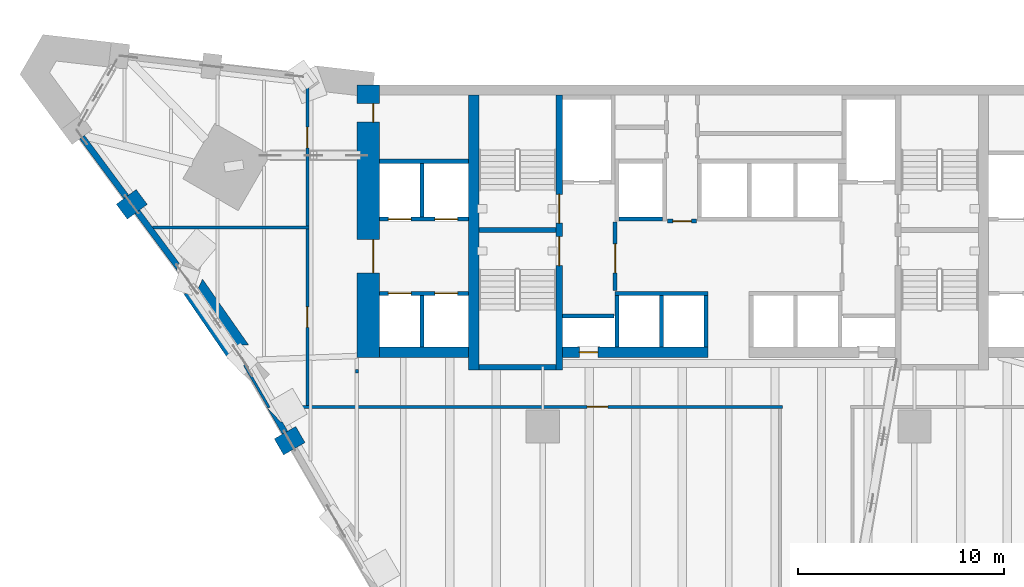
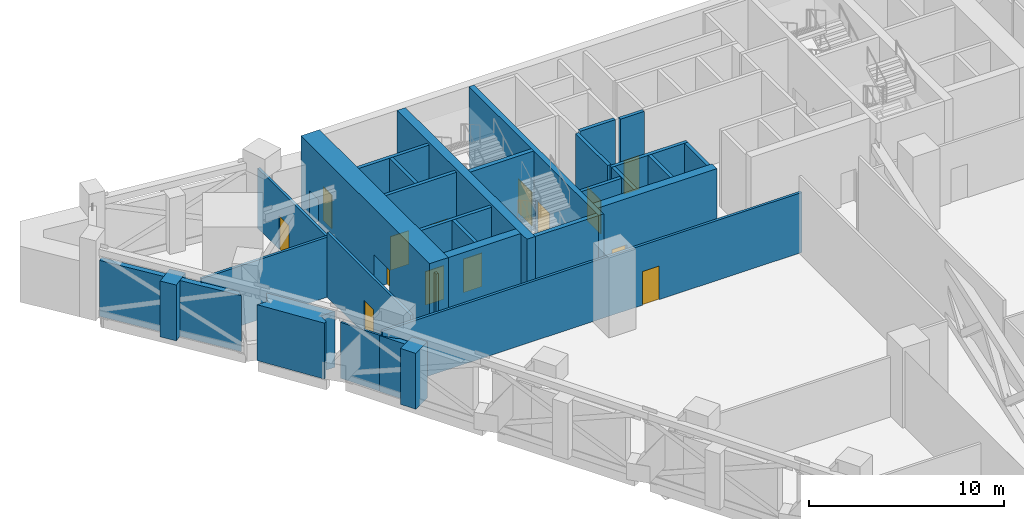
# One storey, part 10 of 22: 32 walls, 14 doors, 14 openings.
"""IFC4 building model written with IfcOpenShell, lengths in metres."""

import ifcopenshell
import ifcopenshell.guid

model = None  # the IFC model being written
_history = None  # IfcOwnerHistory: only IFC2X3 demands one
_inside = {}  # id of a spatial element -> (the spatial element, [elements in it])
_under = {}  # id of a project, library or spatial element -> (it, [spatial elements below it])
_declared = {}  # id of a project -> (the project, [libraries it declares])
_typed = {}  # id of a type object -> (the type object, [elements of that type])
_made_of = {}  # id of a material, layer set ... -> (it, [elements and type objects made of it])


def new_model(schema):
    """Start an empty IFC model of exactly this schema.

    Asked for "IFC4X3", IfcOpenShell would pick the latest addendum, in which some entities
    have other attributes; the version numbers below select the first issue.
    IFC2X3 requires an IfcOwnerHistory on every rooted entity: one is made here for all.
    """
    global model, _history
    if schema == "IFC4X3":
        model = ifcopenshell.file(schema_version=(4, 3, 0, 0))
    else:
        model = ifcopenshell.file(schema=schema)
    _inside.clear()
    _under.clear()
    _declared.clear()
    _typed.clear()
    _made_of.clear()
    _history = None
    if model.schema == "IFC2X3":
        org = make("IfcOrganization", Name="unknown")
        user = make(
            "IfcPersonAndOrganization",
            ThePerson=make("IfcPerson", FamilyName="unknown"),
            TheOrganization=org,
        )
        app = make(
            "IfcApplication",
            ApplicationDeveloper=org,
            Version="unknown",
            ApplicationFullName="unknown",
            ApplicationIdentifier="unknown",
        )
        _history = make(
            "IfcOwnerHistory",
            OwningUser=user,
            OwningApplication=app,
            ChangeAction="ADDED",
            CreationDate=0,
        )
    return model


def make(cls, **values):
    """One entity of the class cls with the attributes given. An attribute that is None is left unset."""
    return model.create_entity(
        cls, **{name: value for name, value in values.items() if value is not None}
    )


def rooted(cls, **values):
    """An entity with a GlobalId (a new one), such as an element, a storey or a relation."""
    return make(cls, GlobalId=ifcopenshell.guid.new(), OwnerHistory=_history, **values)


def si_unit(unit_type, name, prefix=None):
    """IfcSIUnit, for example si_unit("LENGTHUNIT", "METRE", prefix="MILLI")."""
    return make("IfcSIUnit", UnitType=unit_type, Prefix=prefix, Name=name)


def assignment(units):
    """IfcUnitAssignment: the units of a project."""
    return None if units is None else make("IfcUnitAssignment", Units=units)


def point(xyz):
    """IfcCartesianPoint."""
    return None if xyz is None else make("IfcCartesianPoint", Coordinates=xyz)


def direction(xyz):
    """IfcDirection."""
    return None if xyz is None else make("IfcDirection", DirectionRatios=xyz)


def frame(location, z_axis=None, x_axis=None):
    """IfcAxis2Placement3D, a coordinate frame: its origin and axes. An axis left out is left unset."""
    return make(
        "IfcAxis2Placement3D",
        Location=point(location),
        Axis=direction(z_axis),
        RefDirection=direction(x_axis),
    )


def frame_2d(location, x_axis=None):
    """IfcAxis2Placement2D, a coordinate frame in the plane: its origin and x axis."""
    return make(
        "IfcAxis2Placement2D", Location=point(location), RefDirection=direction(x_axis)
    )


def origin():
    """The frame at (0, 0, 0) with its axes left unset."""
    return frame((0.0, 0.0, 0.0))


def place(relative_to, where):
    """IfcLocalPlacement: puts the frame where relative to a parent placement (None: the world)."""
    return make(
        "IfcLocalPlacement", PlacementRelTo=relative_to, RelativePlacement=where
    )


def context(
    kind, dimensions, precision=None, world=None, true_north=None, identifier=None
):
    """IfcGeometricRepresentationContext, for example the 3D "Model" context."""
    return make(
        "IfcGeometricRepresentationContext",
        ContextIdentifier=identifier,
        ContextType=kind,
        CoordinateSpaceDimension=dimensions,
        Precision=precision,
        WorldCoordinateSystem=world,
        TrueNorth=true_north,
    )


def subcontext(parent, identifier, kind, view, scale=None):
    """IfcGeometricRepresentationSubContext, for example "Body" below "Model"."""
    return make(
        "IfcGeometricRepresentationSubContext",
        ContextIdentifier=identifier,
        ContextType=kind,
        ParentContext=parent,
        TargetScale=scale,
        TargetView=view,
    )


def project(units=None, contexts=None):
    """IfcProject with its units and contexts."""
    return rooted(
        "IfcProject",
        Name="project",
        RepresentationContexts=contexts,
        UnitsInContext=assignment(units),
    )


def spatial(cls, under=None, at=None, **own):
    """A site, building, storey or space (cls), placed at a placement, below another one or the project."""
    s = rooted(cls, ObjectPlacement=at, **own)
    if under is not None:
        _under.setdefault(under.id(), (under, []))[1].append(s)
    return s


def polyline(points):
    """IfcPolyline through the points."""
    return make("IfcPolyline", Points=[point(p) for p in points])


def profile(cls, at=None, kind="AREA", **sizes):
    """A parametric profile (cls). Its sizes go by their IFC names, for example OverallWidth=200.0."""
    return make(cls, ProfileType=kind, Position=at, **sizes)


def rectangle(**sizes):
    """IfcRectangleProfileDef."""
    return profile("IfcRectangleProfileDef", **sizes)


def outline(outer, holes=None, kind="AREA"):
    """IfcArbitraryClosedProfileDef: a profile drawn as a closed curve; with holes, ...WithVoids."""
    if holes is None:
        return make("IfcArbitraryClosedProfileDef", ProfileType=kind, OuterCurve=outer)
    return make(
        "IfcArbitraryProfileDefWithVoids",
        ProfileType=kind,
        OuterCurve=outer,
        InnerCurves=holes,
    )


def extrude(swept, where, along, depth):
    """IfcExtrudedAreaSolid: the profile swept, set in the frame where, extruded along a direction by depth."""
    return make(
        "IfcExtrudedAreaSolid",
        SweptArea=swept,
        Position=where,
        ExtrudedDirection=direction(along),
        Depth=depth,
    )


def shape(context_of_items, identifier, shape_type, items):
    """IfcShapeRepresentation: the items that make up one representation, for example the "Body"."""
    return make(
        "IfcShapeRepresentation",
        ContextOfItems=context_of_items,
        RepresentationIdentifier=identifier,
        RepresentationType=shape_type,
        Items=items,
    )


def material(Name=None, Category=None):
    """IfcMaterial."""
    return make("IfcMaterial", Name=Name, Category=Category)


def layer(
    of_material, thickness, ventilated=None, Name=None, Category=None, Priority=None
):
    """IfcMaterialLayer: one layer of a wall or slab, of a material (None: an air gap)."""
    return make(
        "IfcMaterialLayer",
        Material=of_material,
        LayerThickness=thickness,
        IsVentilated=ventilated,
        Name=Name,
        Category=Category,
        Priority=Priority,
    )


def layer_set(layers, Name=None):
    """IfcMaterialLayerSet."""
    return make("IfcMaterialLayerSet", MaterialLayers=layers, LayerSetName=Name)


def made_of(thing, what):
    """Note that an element or type object is made of a material, layer set ...; save() writes the relation."""
    if what is not None:
        _made_of.setdefault(what.id(), (what, []))[1].append(thing)
    return thing


def type_object(cls, material=None, **own):
    """A type object (cls), such as IfcWallType, which elements share."""
    return made_of(rooted(cls, **own), material)


def element(
    cls,
    number,
    at=None,
    inside=None,
    cuts=None,
    type_object=None,
    material=None,
    context=None,
    identifier="Body",
    shape_type=None,
    held_by="IfcProductDefinitionShape",
    body=None,
    shapes=None,
    **own,
):
    """One element of the class cls, such as IfcWall. Its Tag is "e" and its number.

    at: its placement. inside: the storey or other place that contains it. cuts: it is an
    opening in that element (IfcRelVoidsElement). A single representation is given by context,
    identifier, shape_type and body (its items); several are given by shapes. held_by: the class
    of the entity that holds the representations. save() writes the other relations.
    """
    e = rooted(cls, Tag="e%d" % number, ObjectPlacement=at, **own)
    if body is not None:
        shapes = [shape(context, identifier, shape_type, body)]
    if shapes is not None:
        e.Representation = make(held_by, Representations=shapes)
    if inside is not None:
        _inside.setdefault(inside.id(), (inside, []))[1].append(e)
    if cuts is not None:
        rooted(
            "IfcRelVoidsElement", RelatingBuildingElement=cuts, RelatedOpeningElement=e
        )
    if type_object is not None:
        _typed.setdefault(type_object.id(), (type_object, []))[1].append(e)
    return made_of(e, material)


def fill(opening, filler):
    """IfcRelFillsElement: the door or window that sits in an opening."""
    return rooted(
        "IfcRelFillsElement",
        RelatingOpeningElement=opening,
        RelatedBuildingElement=filler,
    )


def aggregate(whole, parts):
    """IfcRelAggregates: a whole, such as a stair, and the parts it consists of."""
    return rooted("IfcRelAggregates", RelatingObject=whole, RelatedObjects=parts)


def save(model, path):
    """Write the relations noted so far, then the file.

    IfcRelAggregates (storeys below a building ...), IfcRelContainedInSpatialStructure (elements
    in a storey), IfcRelDefinesByType, IfcRelAssociatesMaterial and IfcRelDeclares: one each for
    every whole, place, type object, material and project.
    """
    for whole, parts in _under.values():
        aggregate(whole, parts)
    for where, things in _inside.values():
        rooted(
            "IfcRelContainedInSpatialStructure",
            RelatedElements=things,
            RelatingStructure=where,
        )
    for kind, things in _typed.values():
        rooted("IfcRelDefinesByType", RelatedObjects=things, RelatingType=kind)
    for what, things in _made_of.values():
        rooted("IfcRelAssociatesMaterial", RelatedObjects=things, RelatingMaterial=what)
    for by, libraries in _declared.values():
        rooted("IfcRelDeclares", RelatingContext=by, RelatedDefinitions=libraries)
    model.write(path)


model = new_model("IFC4")

# Units and contexts
model_context = context("Model", 3, precision=1e-05, world=origin(), true_north=direction((0.0, 1.0)))
body_context = subcontext(model_context, "Body", "Model", "MODEL_VIEW")
ifc_project = project(units=[si_unit("LENGTHUNIT", "METRE"), si_unit("AREAUNIT", "SQUARE_METRE"), si_unit("VOLUMEUNIT", "CUBIC_METRE"), si_unit("PLANEANGLEUNIT", "RADIAN"), si_unit("MASSUNIT", "GRAM", prefix="KILO")], contexts=[model_context])

# Site, building, storey
site_placement = place(None, origin())
site = spatial("IfcSite", under=ifc_project, at=site_placement, CompositionType="ELEMENT")
building_placement = place(site_placement, origin())
building = spatial("IfcBuilding", under=site, at=building_placement, Name="Calabash Gate Tower", CompositionType="ELEMENT")
storey_placement = place(building_placement, frame((0.0, 0.0, 86.800048828125)))
storey = spatial("IfcBuildingStorey", under=building, at=storey_placement, Name="L18", CompositionType="ELEMENT", Elevation=86.800048828125)

# Walls
ifc_material_1 = material(Name="Terracotta brick masonry, exposed face", Category="masonry")
ifc_layer_1 = layer(ifc_material_1, 1.199951171875)
ifc_layer_set_1 = layer_set([ifc_layer_1], Name="Brick end wall 1200")
wall_type_1 = type_object("IfcWallType", Name="Brick end wall 1200", PredefinedType="SOLIDWALL", material=ifc_layer_set_1)
for number, where, z_axis, x_axis, name in (
    (1, (-21.77880859375, 1.51708984375, 0.0), (0.0, 0.0, 1.0), (0.866094119867, 0.499880961361, 0.0), "Brick pier L18 SW0.1"),
    (2, (-29.388427734375, 12.91015625, 0.0), (0.0, 0.0, 1.0), (0.803477891264, 0.595334593527, 0.0), "Brick pier L18 wedge9.1"),
):
    element("IfcWall", number, at=place(storey_placement, frame(where, z_axis=z_axis, x_axis=x_axis)), inside=storey, type_object=wall_type_1, Name=name, PredefinedType="SOLIDWALL", context=body_context, shape_type="SweptSolid", body=[
        extrude(rectangle(XDim=1.199951171875, YDim=0.89990234375, at=frame_2d((0.60009765625, 0.0))), origin(), (0.0, 0.0, 1.0), 3.5),
    ])
wall_1_placement = place(storey_placement, origin())
element("IfcWall", 3, at=wall_1_placement, inside=storey, type_object=wall_type_1, Name="Brick end wall L18 7", PredefinedType="SOLIDWALL", context=body_context, shape_type="SweptSolid", body=[
    extrude(outline(polyline([(-26.410400390625, 8.9560546875), (-24.253662109375, 5.803955078125), (-24.096923828125, 5.894287109375), (-24.096923828125, 6.458984375), (-23.246337890625, 6.458984375), (-25.4775390625, 9.64697265625), (-25.80908203125, 8.9560546875), (-26.410400390625, 8.9560546875)])), origin(), (0.0, 0.0, 1.0), 3.5),
])

# Wall, openings, doors
ifc_material_2 = material(Name="Concrete C80/95", Category="concrete")
ifc_layer_2 = layer(ifc_material_2, 1.10009765625)
ifc_layer_set_2 = layer_set([ifc_layer_2], Name="Core wall 1100 Concrete C80/95")
wall_type_2 = type_object("IfcWallType", Name="Core wall 1100 Concrete C80/95", PredefinedType="SHEAR", material=ifc_layer_set_2)
wall_2_placement = place(storey_placement, frame((-17.449951171875, 5.8525390625, 0.0), z_axis=(0.0, 0.0, 1.0), x_axis=(0.0, 1.0, 0.0)))
wall_2 = element("IfcWall", 4, at=wall_2_placement, inside=storey, type_object=wall_type_2, Name="Core wall Z1-ENDW L18", PredefinedType="SHEAR", context=body_context, shape_type="SweptSolid", body=[
    extrude(rectangle(XDim=13.199951171875, YDim=1.10009765625, at=frame_2d((6.60009765625, 0.0))), origin(), (0.0, 0.0, 1.0), 5.0),
])
opening_1_placement = place(wall_2_placement, frame((4.10009765625, 0.0, 0.0)))
opening_1 = element("IfcOpeningElement", 5, at=opening_1_placement, cuts=wall_2, Name="Opening L18-014", PredefinedType="OPENING", context=body_context, shape_type="SweptSolid", body=[
    extrude(rectangle(XDim=1.60009765625, YDim=2.10009765625, at=frame_2d((0.800048828125, 1.050048828125))), frame((0.0, 0.56005859375, 0.0), z_axis=(0.0, -1.0, 0.0), x_axis=(1.0, 0.0, 0.0)), (0.0, 0.0, 1.0), 1.1201171875),
])
opening_2_placement = place(wall_2_placement, frame((11.3974609375, 0.0, 0.0)))
opening_2 = element("IfcOpeningElement", 6, at=opening_2_placement, cuts=wall_2, Name="Opening L18-015", PredefinedType="OPENING", context=body_context, shape_type="SweptSolid", body=[
    extrude(rectangle(XDim=0.89990234375, YDim=2.10009765625, at=frame_2d((0.449951171875, 1.050048828125))), frame((0.0, 0.56005859375, 0.0), z_axis=(0.0, -1.0, 0.0), x_axis=(1.0, 0.0, 0.0)), (0.0, 0.0, 1.0), 1.1201171875),
])
ifc_material_3 = material(Name="Steel fire door set with fire-resisting glazing", Category="steel")
door_type_1 = type_object("IfcDoorType", Name="Double fire door D08 1600x2100 FD60", OperationType="DOUBLE_DOOR_SINGLE_SWING", PredefinedType="DOOR", material=ifc_material_3)
door_1_placement = place(opening_1_placement, origin())
door_1 = element("IfcDoor", 7, at=door_1_placement, inside=storey, type_object=door_type_1, Name="Low-rise Lift Lobby W door", OperationType="DOUBLE_DOOR_SINGLE_SWING", OverallHeight=2.10009765625, OverallWidth=1.60009765625, PredefinedType="DOOR", context=body_context, shape_type="SweptSolid", body=[
    extrude(rectangle(XDim=1.60009765625, YDim=2.10009765625, at=frame_2d((0.800048828125, 1.050048828125))), frame((0.0, -0.22509765625, 0.0), z_axis=(0.0, -1.0, 0.0), x_axis=(1.0, 0.0, 0.0)), (0.0, 0.0, 1.0), 0.050048828125),
])
fill(opening_1, door_1)
ifc_material_4 = material(Name="Steel fire door set with fire-resisting glazing", Category="steel")
door_type_2 = type_object("IfcDoorType", Name="Fire door D06 900x2100 FD60", OperationType="NOTDEFINED", PredefinedType="DOOR", material=ifc_material_4)
door_2_placement = place(opening_2_placement, origin())
door_2 = element("IfcDoor", 8, at=door_2_placement, inside=storey, type_object=door_type_2, Name="Electrical Switch Room door", OperationType="SINGLE_SWING_RIGHT", OverallHeight=2.10009765625, OverallWidth=0.89990234375, PredefinedType="DOOR", context=body_context, shape_type="SweptSolid", body=[
    extrude(rectangle(XDim=0.89990234375, YDim=2.10009765625, at=frame_2d((0.449951171875, 1.050048828125))), frame((0.0, -0.22509765625, 0.0), z_axis=(0.0, -1.0, 0.0), x_axis=(1.0, 0.0, 0.0)), (0.0, 0.0, 1.0), 0.050048828125),
])
fill(opening_2, door_2)

# Walls
ifc_material_5 = material(Name="Concrete C80/95", Category="concrete")
ifc_layer_3 = layer(ifc_material_5, 0.25)
ifc_layer_set_3 = layer_set([ifc_layer_3], Name="Core wall 250 Concrete C80/95")
wall_type_3 = type_object("IfcWallType", Name="Core wall 250 Concrete C80/95", PredefinedType="SHEAR", material=ifc_layer_set_3)
for number, where, z_axis, x_axis, name in (
    (9, (-12.10009765625, 12.027587890625, 0.0), (0.0, 0.0, 1.0), (1.0, 0.0, 0.0), "Core wall Z1-MIDW L18"),
    (10, (-12.10009765625, 5.377685546875, 0.0), (0.0, 0.0, 1.0), (1.0, 0.0, 0.0), "Core wall Z1-SSW L18"),
):
    element("IfcWall", number, at=place(storey_placement, frame(where, z_axis=z_axis, x_axis=x_axis)), inside=storey, type_object=wall_type_3, Name=name, PredefinedType="SHEAR", context=body_context, shape_type="SweptSolid", body=[
        extrude(rectangle(XDim=3.75, YDim=0.25, at=frame_2d((1.875, 0.0))), origin(), (0.0, 0.0, 1.0), 5.0),
    ])

# Wall, openings, doors
ifc_material_6 = material(Name="Concrete C80/95", Category="concrete")
ifc_layer_4 = layer(ifc_material_6, 0.300048828125)
ifc_layer_set_4 = layer_set([ifc_layer_4], Name="Core wall 300 Concrete C80/95")
wall_type_4 = type_object("IfcWallType", Name="Core wall 300 Concrete C80/95", PredefinedType="SHEAR", material=ifc_layer_set_4)
wall_3_placement = place(storey_placement, frame((-8.199951171875, 5.252685546875, 0.0), z_axis=(0.0, 0.0, 1.0), x_axis=(0.0, 1.0, 0.0)))
wall_3 = element("IfcWall", 11, at=wall_3_placement, inside=storey, type_object=wall_type_4, Name="Core wall Z1-PARTW L18", PredefinedType="SHEAR", context=body_context, shape_type="SweptSolid", body=[
    extrude(rectangle(XDim=13.2998046875, YDim=0.300048828125, at=frame_2d((6.64990234375, 0.0))), origin(), (0.0, 0.0, 1.0), 5.0),
])
opening_3_placement = place(wall_3_placement, frame((7.10009765625, 0.0, 0.0)))
opening_3 = element("IfcOpeningElement", 12, at=opening_3_placement, cuts=wall_3, Name="Opening L18-001", PredefinedType="OPENING", context=body_context, shape_type="SweptSolid", body=[
    extrude(rectangle(XDim=1.39990234375, YDim=2.10009765625, at=frame_2d((0.699951171875, 1.050048828125))), frame((0.0, 0.159912109375, 0.0), z_axis=(0.0, -1.0, 0.0), x_axis=(1.0, 0.0, 0.0)), (0.0, 0.0, 1.0), 0.320068359375),
])
opening_4_placement = place(wall_3_placement, frame((5.050048828125, 0.0, 0.0)))
opening_4 = element("IfcOpeningElement", 13, at=opening_4_placement, cuts=wall_3, Name="Opening L18-002", PredefinedType="OPENING", context=body_context, shape_type="SweptSolid", body=[
    extrude(rectangle(XDim=1.39990234375, YDim=2.10009765625, at=frame_2d((0.699951171875, 1.050048828125))), frame((0.0, 0.159912109375, 0.0), z_axis=(0.0, -1.0, 0.0), x_axis=(1.0, 0.0, 0.0)), (0.0, 0.0, 1.0), 0.320068359375),
])
ifc_material_7 = material(Name="Steel fire door set with fire-resisting glazing", Category="steel")
door_type_3 = type_object("IfcDoorType", Name="Fire door D05 1400x2100 FD90", OperationType="NOTDEFINED", PredefinedType="DOOR", material=ifc_material_7)
door_3_placement = place(opening_3_placement, origin())
door_3 = element("IfcDoor", 14, at=door_3_placement, inside=storey, type_object=door_type_3, Name="Exit stair door ST1", OperationType="SINGLE_SWING_LEFT", OverallHeight=2.10009765625, OverallWidth=1.39990234375, PredefinedType="DOOR", context=body_context, shape_type="SweptSolid", body=[
    extrude(rectangle(XDim=1.39990234375, YDim=2.10009765625, at=frame_2d((0.699951171875, 1.050048828125))), frame((0.0, 0.02490234375, 0.0), z_axis=(0.0, -1.0, 0.0), x_axis=(1.0, 0.0, 0.0)), (0.0, 0.0, 1.0), 0.050048828125),
])
fill(opening_3, door_3)
door_4_placement = place(opening_4_placement, origin())
door_4 = element("IfcDoor", 15, at=door_4_placement, inside=storey, type_object=door_type_3, Name="Exit stair door ST2", OperationType="SINGLE_SWING_LEFT", OverallHeight=2.10009765625, OverallWidth=1.39990234375, PredefinedType="DOOR", context=body_context, shape_type="SweptSolid", body=[
    extrude(rectangle(XDim=1.39990234375, YDim=2.10009765625, at=frame_2d((0.699951171875, 1.050048828125))), frame((0.0, 0.02490234375, 0.0), z_axis=(0.0, -1.0, 0.0), x_axis=(1.0, 0.0, 0.0)), (0.0, 0.0, 1.0), 0.050048828125),
])
fill(opening_4, door_4)

# Wall
ifc_material_8 = material(Name="Concrete C80/95", Category="concrete")
ifc_layer_5 = layer(ifc_material_8, 0.5)
ifc_layer_set_5 = layer_set([ifc_layer_5], Name="Core wall 500 Concrete C80/95")
wall_type_5 = type_object("IfcWallType", Name="Core wall 500 Concrete C80/95", PredefinedType="SHEAR", material=ifc_layer_set_5)
wall_4_placement = place(storey_placement, frame((-12.35009765625, 5.252685546875, 0.0), z_axis=(0.0, 0.0, 1.0), x_axis=(0.0, 1.0, 0.0)))
element("IfcWall", 16, at=wall_4_placement, inside=storey, type_object=wall_type_5, Name="Core wall Z1-COLW L18", PredefinedType="SHEAR", context=body_context, shape_type="SweptSolid", body=[
    extrude(rectangle(XDim=13.2998046875, YDim=0.5, at=frame_2d((6.64990234375, 0.0))), origin(), (0.0, 0.0, 1.0), 5.0),
])

# Wall, opening, door
wall_5_placement = place(storey_placement, frame((-8.050048828125, 6.1025390625, 0.0), z_axis=(0.0, 0.0, 1.0), x_axis=(1.0, 0.0, 0.0)))
wall_5 = element("IfcWall", 17, at=wall_5_placement, inside=storey, type_object=wall_type_5, Name="Core wall Z1-SA L18", PredefinedType="SHEAR", context=body_context, shape_type="SweptSolid", body=[
    extrude(rectangle(XDim=7.050048828125, YDim=0.5, at=frame_2d((3.52490234375, 0.0))), origin(), (0.0, 0.0, 1.0), 5.0),
])
opening_5_placement = place(wall_5_placement, frame((0.824951171875, 0.0, 0.0)))
opening_5 = element("IfcOpeningElement", 18, at=opening_5_placement, cuts=wall_5, Name="Opening L18-012", PredefinedType="OPENING", context=body_context, shape_type="SweptSolid", body=[
    extrude(rectangle(XDim=0.89990234375, YDim=2.10009765625, at=frame_2d((0.449951171875, 1.050048828125))), frame((0.0, 0.260009765625, 0.0), z_axis=(0.0, -1.0, 0.0), x_axis=(1.0, 0.0, 0.0)), (0.0, 0.0, 1.0), 0.52001953125),
])
ifc_material_9 = material(Name="Steel fire door set with fire-resisting glazing", Category="steel")
door_type_4 = type_object("IfcDoorType", Name="Fire door D07 900x2100 FD90", OperationType="NOTDEFINED", PredefinedType="DOOR", material=ifc_material_9)
door_5_placement = place(opening_5_placement, origin())
door_5 = element("IfcDoor", 19, at=door_5_placement, inside=storey, type_object=door_type_4, Name="Electrical Riser W door", OperationType="SINGLE_SWING_LEFT", OverallHeight=2.10009765625, OverallWidth=0.89990234375, PredefinedType="DOOR", context=body_context, shape_type="SweptSolid", body=[
    extrude(rectangle(XDim=0.89990234375, YDim=2.10009765625, at=frame_2d((0.449951171875, 1.050048828125))), frame((0.0, 0.02490234375, 0.0), z_axis=(0.0, -1.0, 0.0), x_axis=(1.0, 0.0, 0.0)), (0.0, 0.0, 1.0), 0.050048828125),
])
fill(opening_5, door_5)

# Wall
wall_6_placement = place(storey_placement, frame((-12.60009765625, 6.1025390625, 0.0), z_axis=(0.0, 0.0, 1.0), x_axis=(-1.0, 0.0, 0.0)))
element("IfcWall", 20, at=wall_6_placement, inside=storey, type_object=wall_type_5, Name="Core wall Z1-SW L18", PredefinedType="SHEAR", context=body_context, shape_type="SweptSolid", body=[
    extrude(rectangle(XDim=4.2998046875, YDim=0.5, at=frame_2d((2.14990234375, 0.0))), origin(), (0.0, 0.0, 1.0), 5.0),
])

# Wall, opening, door
ifc_material_10 = material(Name="Gypsum board on steel studs, mineral wool", Category="steel")
ifc_layer_6 = layer(ifc_material_10, 0.14990234375)
ifc_layer_set_6 = layer_set([ifc_layer_6], Name="Partition 150 gypsum board")
wall_type_6 = type_object("IfcWallType", Name="Partition 150 gypsum board", PredefinedType="PARTITIONING", material=ifc_layer_set_6)
wall_7_placement = place(storey_placement, frame((-22.223388671875, 3.45263671875, 0.0), z_axis=(0.0, 0.0, 1.0), x_axis=(1.0, 0.0, 0.0)))
wall_7 = element("IfcWall", 21, at=wall_7_placement, inside=storey, type_object=wall_type_6, Name="Partition", PredefinedType="PARTITIONING", context=body_context, shape_type="SweptSolid", body=[
    extrude(rectangle(XDim=24.828369140625, YDim=0.14990234375, at=frame_2d((12.4140625, 0.0))), origin(), (0.0, 0.0, 1.0), 3.751953125),
])
opening_6_placement = place(wall_7_placement, frame((15.37353515625, 0.0, 0.0)))
opening_6 = element("IfcOpeningElement", 22, at=opening_6_placement, cuts=wall_7, Name="Opening L18-022", PredefinedType="OPENING", context=body_context, shape_type="SweptSolid", body=[
    extrude(rectangle(XDim=1.0, YDim=2.10009765625, at=frame_2d((0.5, 1.050048828125))), frame((0.0, 0.0849609375, 0.0), z_axis=(0.0, -1.0, 0.0), x_axis=(1.0, 0.0, 0.0)), (0.0, 0.0, 1.0), 0.169921875),
])
ifc_material_11 = material(Name="Steel fire door set with fire-resisting glazing", Category="steel")
door_type_5 = type_object("IfcDoorType", Name="Fire door D12 1000x2100 FD90", OperationType="NOTDEFINED", PredefinedType="DOOR", material=ifc_material_11)
door_6_placement = place(opening_6_placement, origin())
door_6 = element("IfcDoor", 23, at=door_6_placement, inside=storey, type_object=door_type_5, Name="Refuge Area W door", OperationType="SINGLE_SWING_RIGHT", OverallHeight=2.10009765625, OverallWidth=1.0, PredefinedType="DOOR", context=body_context, shape_type="SweptSolid", body=[
    extrude(rectangle(XDim=1.0, YDim=2.10009765625, at=frame_2d((0.5, 1.050048828125))), frame((0.0, 0.02490234375, 0.0), z_axis=(0.0, -1.0, 0.0), x_axis=(1.0, 0.0, 0.0)), (0.0, 0.0, 1.0), 0.050048828125),
])
fill(opening_6, door_6)

wall_8_placement = place(storey_placement, frame((-20.39990234375, 3.527587890625, 0.0), z_axis=(0.0, 0.0, 1.0), x_axis=(0.0, 1.0, 0.0)))
wall_8 = element("IfcWall", 24, at=wall_8_placement, inside=storey, type_object=wall_type_6, Name="Partition", PredefinedType="PARTITIONING", context=body_context, shape_type="SweptSolid", body=[
    extrude(rectangle(XDim=8.547607421875, YDim=0.14990234375, at=frame_2d((4.27392578125, 0.0))), origin(), (0.0, 0.0, 1.0), 4.050048828125),
])
opening_7_placement = place(wall_8_placement, frame((3.77490234375, 0.0, 0.0)))
opening_7 = element("IfcOpeningElement", 25, at=opening_7_placement, cuts=wall_8, Name="Opening L18-019", PredefinedType="OPENING", context=body_context, shape_type="SweptSolid", body=[
    extrude(rectangle(XDim=1.0, YDim=2.10009765625, at=frame_2d((0.5, 1.050048828125))), frame((0.0, 0.0849609375, 0.0), z_axis=(0.0, -1.0, 0.0), x_axis=(1.0, 0.0, 0.0)), (0.0, 0.0, 1.0), 0.169921875),
])
ifc_material_12 = material(Name="Steel fire door set with fire-resisting glazing", Category="steel")
door_type_6 = type_object("IfcDoorType", Name="Fire door D11 1000x2100 FD60", OperationType="NOTDEFINED", PredefinedType="DOOR", material=ifc_material_12)
door_7_placement = place(opening_7_placement, origin())
door_7 = element("IfcDoor", 26, at=door_7_placement, inside=storey, type_object=door_type_6, Name="Hot Water Plant Room door", OperationType="SINGLE_SWING_RIGHT", OverallHeight=2.10009765625, OverallWidth=1.0, PredefinedType="DOOR", context=body_context, shape_type="SweptSolid", body=[
    extrude(rectangle(XDim=1.0, YDim=2.10009765625, at=frame_2d((0.5, 1.050048828125))), frame((0.0, 0.02490234375, 0.0), z_axis=(0.0, -1.0, 0.0), x_axis=(1.0, 0.0, 0.0)), (0.0, 0.0, 1.0), 0.050048828125),
])
fill(opening_7, door_7)

# Walls
wall_9_placement = place(storey_placement, frame((-18.0, 5.09765625, 0.0), z_axis=(0.0, 0.0, 1.0), x_axis=(0.0, 1.0, 0.0)))
element("IfcWall", 27, at=wall_9_placement, inside=storey, type_object=wall_type_6, Name="Partition", PredefinedType="PARTITIONING", context=body_context, shape_type="SweptSolid", body=[
    extrude(rectangle(XDim=0.179931640625, YDim=0.14990234375, at=frame_2d((0.08984375, 0.0))), origin(), (0.0, 0.0, 1.0), 4.829833984375),
])
wall_10_placement = place(storey_placement, frame((-27.912109375, 12.150146484375, 0.0), z_axis=(0.0, 0.0, 1.0), x_axis=(1.0, 0.0, 0.0)))
element("IfcWall", 28, at=wall_10_placement, inside=storey, type_object=wall_type_6, Name="Partition", PredefinedType="PARTITIONING", context=body_context, shape_type="SweptSolid", body=[
    extrude(rectangle(XDim=7.587158203125, YDim=0.14990234375, at=frame_2d((3.79345703125, 0.0))), origin(), (0.0, 0.0, 1.0), 3.751953125),
])

# Wall, opening, door
wall_11_placement = place(storey_placement, frame((-20.39990234375, 12.22509765625, 0.0), z_axis=(0.0, 0.0, 1.0), x_axis=(0.0, 1.0, 0.0)))
wall_11 = element("IfcWall", 29, at=wall_11_placement, inside=storey, type_object=wall_type_6, Name="Partition", PredefinedType="PARTITIONING", context=body_context, shape_type="SweptSolid", body=[
    extrude(rectangle(XDim=6.9658203125, YDim=0.14990234375, at=frame_2d((3.48291015625, 0.0))), origin(), (0.0, 0.0, 1.0), 3.751953125),
])
opening_8_placement = place(wall_11_placement, frame((3.77490234375, 0.0, 0.0)))
opening_8 = element("IfcOpeningElement", 30, at=opening_8_placement, cuts=wall_11, Name="Opening L18-018", PredefinedType="OPENING", context=body_context, shape_type="SweptSolid", body=[
    extrude(rectangle(XDim=1.0, YDim=2.10009765625, at=frame_2d((0.5, 1.050048828125))), frame((0.0, 0.0849609375, 0.0), z_axis=(0.0, -1.0, 0.0), x_axis=(1.0, 0.0, 0.0)), (0.0, 0.0, 1.0), 0.169921875),
])
door_8_placement = place(opening_8_placement, origin())
door_8 = element("IfcDoor", 31, at=door_8_placement, inside=storey, type_object=door_type_6, Name="Chiller Plant Room door", OperationType="SINGLE_SWING_LEFT", OverallHeight=2.10009765625, OverallWidth=1.0, PredefinedType="DOOR", context=body_context, shape_type="SweptSolid", body=[
    extrude(rectangle(XDim=1.0, YDim=2.10009765625, at=frame_2d((0.5, 1.050048828125))), frame((0.0, 0.02490234375, 0.0), z_axis=(0.0, -1.0, 0.0), x_axis=(1.0, 0.0, 0.0)), (0.0, 0.0, 1.0), 0.050048828125),
])
fill(opening_8, door_8)

# Walls
ifc_material_13 = material(Name="Concrete C40/50", Category="concrete")
ifc_layer_7 = layer(ifc_material_13, 0.199951171875)
ifc_layer_set_7 = layer_set([ifc_layer_7], Name="Shaft wall 200 Concrete C40/50")
wall_type_7 = type_object("IfcWallType", Name="Shaft wall 200 Concrete C40/50", PredefinedType="SOLIDWALL", material=ifc_layer_set_7)
for number, where, z_axis, x_axis, name in (
    (32, (-14.85009765625, 6.3525390625, 0.0), (0.0, 0.0, 1.0), (0.0, 1.0, 0.0), "Shaft wall"),
    (33, (-5.39990234375, 6.3525390625, 0.0), (0.0, 0.0, 1.0), (0.0, 1.0, 0.0), "Shaft wall"),
    (34, (-3.25, 6.3525390625, 0.0), (0.0, 0.0, 1.0), (0.0, 1.0, 0.0), "Shaft wall"),
    (35, (-1.10009765625, 6.3525390625, 0.0), (0.0, 0.0, 1.0), (0.0, 1.0, 0.0), "Shaft wall"),
    (36, (-8.050048828125, 7.8525390625, 0.0), (0.0, 0.0, 1.0), (1.0, 0.0, 0.0), "Shaft wall"),
):
    element("IfcWall", number, at=place(storey_placement, frame(where, z_axis=z_axis, x_axis=x_axis)), inside=storey, type_object=wall_type_7, Name=name, PredefinedType="SOLIDWALL", context=body_context, shape_type="SweptSolid", body=[
        extrude(rectangle(XDim=2.5, YDim=0.199951171875, at=frame_2d((1.25, 0.0))), origin(), (0.0, 0.0, 1.0), 4.829833984375),
    ])

# Wall, openings, doors
wall_12_placement = place(storey_placement, frame((-16.89990234375, 8.95263671875, 0.0), z_axis=(0.0, 0.0, 1.0), x_axis=(1.0, 0.0, 0.0)))
wall_12 = element("IfcWall", 37, at=wall_12_placement, inside=storey, type_object=wall_type_7, Name="Shaft wall", PredefinedType="SOLIDWALL", context=body_context, shape_type="SweptSolid", body=[
    extrude(rectangle(XDim=4.2998046875, YDim=0.199951171875, at=frame_2d((2.14990234375, 0.0))), origin(), (0.0, 0.0, 1.0), 4.829833984375),
])
opening_9_placement = place(wall_12_placement, frame((2.675048828125, 0.0, 0.0)))
opening_9 = element("IfcOpeningElement", 38, at=opening_9_placement, cuts=wall_12, Name="Opening LD-LR1", PredefinedType="OPENING", context=body_context, shape_type="SweptSolid", body=[
    extrude(rectangle(XDim=1.10009765625, YDim=2.10009765625, at=frame_2d((0.550048828125, 1.050048828125))), frame((0.0, 0.10986328125, 0.0), z_axis=(0.0, -1.0, 0.0), x_axis=(1.0, 0.0, 0.0)), (0.0, 0.0, 1.0), 0.219970703125),
])
opening_10_placement = place(wall_12_placement, frame((0.425048828125, 0.0, 0.0)))
opening_10 = element("IfcOpeningElement", 39, at=opening_10_placement, cuts=wall_12, Name="Opening LD-LR2", PredefinedType="OPENING", context=body_context, shape_type="SweptSolid", body=[
    extrude(rectangle(XDim=1.10009765625, YDim=2.10009765625, at=frame_2d((0.550048828125, 1.050048828125))), frame((0.0, 0.10986328125, 0.0), z_axis=(0.0, -1.0, 0.0), x_axis=(1.0, 0.0, 0.0)), (0.0, 0.0, 1.0), 0.219970703125),
])
ifc_material_14 = material(Name="Stainless steel sliding door leaves", Category="steel")
door_type_7 = type_object("IfcDoorType", Name="Lift landing door LS1 1100x2100 FD90", OperationType="DOUBLE_DOOR_SLIDING", PredefinedType="DOOR", material=ifc_material_14)
door_9_placement = place(opening_9_placement, origin())
door_9 = element("IfcDoor", 40, at=door_9_placement, inside=storey, type_object=door_type_7, Name="Lift landing door LR1", OperationType="DOUBLE_DOOR_SLIDING", OverallHeight=2.10009765625, OverallWidth=1.10009765625, PredefinedType="DOOR", context=body_context, shape_type="SweptSolid", body=[
    extrude(rectangle(XDim=1.10009765625, YDim=2.10009765625, at=frame_2d((0.550048828125, 1.050048828125))), frame((0.0, 0.02490234375, 0.0), z_axis=(0.0, -1.0, 0.0), x_axis=(1.0, 0.0, 0.0)), (0.0, 0.0, 1.0), 0.050048828125),
])
fill(opening_9, door_9)
door_10_placement = place(opening_10_placement, origin())
door_10 = element("IfcDoor", 41, at=door_10_placement, inside=storey, type_object=door_type_7, Name="Lift landing door LR2", OperationType="DOUBLE_DOOR_SLIDING", OverallHeight=2.10009765625, OverallWidth=1.10009765625, PredefinedType="DOOR", context=body_context, shape_type="SweptSolid", body=[
    extrude(rectangle(XDim=1.10009765625, YDim=2.10009765625, at=frame_2d((0.550048828125, 1.050048828125))), frame((0.0, 0.02490234375, 0.0), z_axis=(0.0, -1.0, 0.0), x_axis=(1.0, 0.0, 0.0)), (0.0, 0.0, 1.0), 0.050048828125),
])
fill(opening_10, door_10)

# Wall
wall_13_placement = place(storey_placement, frame((-5.5, 8.95263671875, 0.0), z_axis=(0.0, 0.0, 1.0), x_axis=(1.0, 0.0, 0.0)))
element("IfcWall", 42, at=wall_13_placement, inside=storey, type_object=wall_type_7, Name="Shaft wall", PredefinedType="SOLIDWALL", context=body_context, shape_type="SweptSolid", body=[
    extrude(rectangle(XDim=4.5, YDim=0.199951171875, at=frame_2d((2.25, 0.0))), origin(), (0.0, 0.0, 1.0), 4.829833984375),
])

# Wall, opening, door
wall_14_placement = place(storey_placement, frame((-5.5, 9.1025390625, 0.0), z_axis=(0.0, 0.0, 1.0), x_axis=(0.0, 1.0, 0.0)))
wall_14 = element("IfcWall", 43, at=wall_14_placement, inside=storey, type_object=wall_type_7, Name="Shaft wall", PredefinedType="SOLIDWALL", context=body_context, shape_type="SweptSolid", body=[
    extrude(rectangle(XDim=3.300048828125, YDim=0.199951171875, at=frame_2d((1.64990234375, 0.0))), origin(), (0.0, 0.0, 1.0), 4.829833984375),
])
opening_11_placement = place(wall_14_placement, frame((0.85009765625, 0.0, 0.0)))
opening_11 = element("IfcOpeningElement", 44, at=opening_11_placement, cuts=wall_14, Name="Opening L18-006", PredefinedType="OPENING", context=body_context, shape_type="SweptSolid", body=[
    extrude(rectangle(XDim=1.39990234375, YDim=2.10009765625, at=frame_2d((0.699951171875, 1.050048828125))), frame((0.0, 0.10986328125, 0.0), z_axis=(0.0, -1.0, 0.0), x_axis=(1.0, 0.0, 0.0)), (0.0, 0.0, 1.0), 0.219970703125),
])
door_11_placement = place(opening_11_placement, origin())
door_11 = element("IfcDoor", 45, at=door_11_placement, inside=storey, type_object=door_type_3, Name="Firefighting Lobby W door", OperationType="SINGLE_SWING_RIGHT", OverallHeight=2.10009765625, OverallWidth=1.39990234375, PredefinedType="DOOR", context=body_context, shape_type="SweptSolid", body=[
    extrude(rectangle(XDim=1.39990234375, YDim=2.10009765625, at=frame_2d((0.699951171875, 1.050048828125))), frame((0.0, 0.02490234375, 0.0), z_axis=(0.0, -1.0, 0.0), x_axis=(1.0, 0.0, 0.0)), (0.0, 0.0, 1.0), 0.050048828125),
])
fill(opening_11, door_11)

wall_15_placement = place(storey_placement, frame((-2.949951171875, 12.45263671875, 0.0), z_axis=(0.0, 0.0, 1.0), x_axis=(1.0, 0.0, 0.0)))
wall_15 = element("IfcWall", 46, at=wall_15_placement, inside=storey, type_object=wall_type_7, Name="Shaft wall", PredefinedType="SOLIDWALL", context=body_context, shape_type="SweptSolid", body=[
    extrude(rectangle(XDim=1.39990234375, YDim=0.199951171875, at=frame_2d((0.699951171875, 0.0))), origin(), (0.0, 0.0, 1.0), 4.829833984375),
])
opening_12_placement = place(wall_15_placement, frame((0.25, 0.0, 0.0)))
opening_12 = element("IfcOpeningElement", 47, at=opening_12_placement, cuts=wall_15, Name="Opening L18-005", PredefinedType="OPENING", context=body_context, shape_type="SweptSolid", body=[
    extrude(rectangle(XDim=0.89990234375, YDim=2.10009765625, at=frame_2d((0.449951171875, 1.050048828125))), frame((0.0, 0.10986328125, 0.0), z_axis=(0.0, -1.0, 0.0), x_axis=(1.0, 0.0, 0.0)), (0.0, 0.0, 1.0), 0.219970703125),
])
door_12_placement = place(opening_12_placement, origin())
door_12 = element("IfcDoor", 48, at=door_12_placement, inside=storey, type_object=door_type_2, Name="Service Corridor door", OperationType="SINGLE_SWING_RIGHT", OverallHeight=2.10009765625, OverallWidth=0.89990234375, PredefinedType="DOOR", context=body_context, shape_type="SweptSolid", body=[
    extrude(rectangle(XDim=0.89990234375, YDim=2.10009765625, at=frame_2d((0.449951171875, 1.050048828125))), frame((0.0, 0.02490234375, 0.0), z_axis=(0.0, -1.0, 0.0), x_axis=(1.0, 0.0, 0.0)), (0.0, 0.0, 1.0), 0.050048828125),
])
fill(opening_12, door_12)

# Wall, openings, doors
wall_16_placement = place(storey_placement, frame((-16.89990234375, 12.552490234375, 0.0), z_axis=(0.0, 0.0, 1.0), x_axis=(1.0, 0.0, 0.0)))
wall_16 = element("IfcWall", 49, at=wall_16_placement, inside=storey, type_object=wall_type_7, Name="Shaft wall", PredefinedType="SOLIDWALL", context=body_context, shape_type="SweptSolid", body=[
    extrude(rectangle(XDim=4.2998046875, YDim=0.199951171875, at=frame_2d((2.14990234375, 0.0))), origin(), (0.0, 0.0, 1.0), 4.829833984375),
])
opening_13_placement = place(wall_16_placement, frame((2.675048828125, 0.0, 0.0)))
opening_13 = element("IfcOpeningElement", 50, at=opening_13_placement, cuts=wall_16, Name="Opening LD-LR3", PredefinedType="OPENING", context=body_context, shape_type="SweptSolid", body=[
    extrude(rectangle(XDim=1.10009765625, YDim=2.10009765625, at=frame_2d((0.550048828125, 1.050048828125))), frame((0.0, 0.10986328125, 0.0), z_axis=(0.0, -1.0, 0.0), x_axis=(1.0, 0.0, 0.0)), (0.0, 0.0, 1.0), 0.219970703125),
])
opening_14_placement = place(wall_16_placement, frame((0.425048828125, 0.0, 0.0)))
opening_14 = element("IfcOpeningElement", 51, at=opening_14_placement, cuts=wall_16, Name="Opening LD-LR4", PredefinedType="OPENING", context=body_context, shape_type="SweptSolid", body=[
    extrude(rectangle(XDim=1.10009765625, YDim=2.10009765625, at=frame_2d((0.550048828125, 1.050048828125))), frame((0.0, 0.10986328125, 0.0), z_axis=(0.0, -1.0, 0.0), x_axis=(1.0, 0.0, 0.0)), (0.0, 0.0, 1.0), 0.219970703125),
])
door_13_placement = place(opening_13_placement, origin())
door_13 = element("IfcDoor", 52, at=door_13_placement, inside=storey, type_object=door_type_7, Name="Lift landing door LR3", OperationType="DOUBLE_DOOR_SLIDING", OverallHeight=2.10009765625, OverallWidth=1.10009765625, PredefinedType="DOOR", context=body_context, shape_type="SweptSolid", body=[
    extrude(rectangle(XDim=1.10009765625, YDim=2.10009765625, at=frame_2d((0.550048828125, 1.050048828125))), frame((0.0, 0.02490234375, 0.0), z_axis=(0.0, -1.0, 0.0), x_axis=(1.0, 0.0, 0.0)), (0.0, 0.0, 1.0), 0.050048828125),
])
fill(opening_13, door_13)
door_14_placement = place(opening_14_placement, origin())
door_14 = element("IfcDoor", 53, at=door_14_placement, inside=storey, type_object=door_type_7, Name="Lift landing door LR4", OperationType="DOUBLE_DOOR_SLIDING", OverallHeight=2.10009765625, OverallWidth=1.10009765625, PredefinedType="DOOR", context=body_context, shape_type="SweptSolid", body=[
    extrude(rectangle(XDim=1.10009765625, YDim=2.10009765625, at=frame_2d((0.550048828125, 1.050048828125))), frame((0.0, 0.02490234375, 0.0), z_axis=(0.0, -1.0, 0.0), x_axis=(1.0, 0.0, 0.0)), (0.0, 0.0, 1.0), 0.050048828125),
])
fill(opening_14, door_14)

# Walls
wall_17_placement = place(storey_placement, frame((-5.300048828125, 12.552490234375, 0.0), z_axis=(0.0, 0.0, 1.0), x_axis=(1.0, 0.0, 0.0)))
element("IfcWall", 54, at=wall_17_placement, inside=storey, type_object=wall_type_7, Name="Shaft wall", PredefinedType="SOLIDWALL", context=body_context, shape_type="SweptSolid", body=[
    extrude(rectangle(XDim=2.10009765625, YDim=0.199951171875, at=frame_2d((1.050048828125, 0.0))), origin(), (0.0, 0.0, 1.0), 4.829833984375),
])
wall_18_placement = place(storey_placement, frame((-14.85009765625, 12.652587890625, 0.0), z_axis=(0.0, 0.0, 1.0), x_axis=(0.0, 1.0, 0.0)))
element("IfcWall", 55, at=wall_18_placement, inside=storey, type_object=wall_type_7, Name="Shaft wall", PredefinedType="SOLIDWALL", context=body_context, shape_type="SweptSolid", body=[
    extrude(rectangle(XDim=2.60009765625, YDim=0.199951171875, at=frame_2d((1.300048828125, 0.0))), origin(), (0.0, 0.0, 1.0), 4.829833984375),
])
wall_19_placement = place(storey_placement, frame((-16.89990234375, 15.3525390625, 0.0), z_axis=(0.0, 0.0, 1.0), x_axis=(1.0, 0.0, 0.0)))
element("IfcWall", 56, at=wall_19_placement, inside=storey, type_object=wall_type_7, Name="Shaft wall", PredefinedType="SOLIDWALL", context=body_context, shape_type="SweptSolid", body=[
    extrude(rectangle(XDim=4.2998046875, YDim=0.199951171875, at=frame_2d((2.14990234375, 0.0))), origin(), (0.0, 0.0, 1.0), 4.829833984375),
])
ifc_material_15 = material(Name="Terracotta brick masonry, perforated", Category="masonry")
ifc_layer_8 = layer(ifc_material_15, 0.1201171875)
ifc_layer_set_8 = layer_set([ifc_layer_8], Name="Terracotta jaali cladding A 120")
wall_type_8 = type_object("IfcWallType", Name="Terracotta jaali cladding A 120", PredefinedType="SOLIDWALL", material=ifc_layer_set_8)
wall_20_placement = place(storey_placement, frame((-23.447021484375, 5.486572265625, 0.0), z_axis=(0.0, 0.0, 1.0), x_axis=(0.500017192868, -0.86601547725, 0.0)))
element("IfcWall", 57, at=wall_20_placement, inside=storey, type_object=wall_type_8, Name="Jaali cladding L18 SW0.c1", PredefinedType="SOLIDWALL", context=body_context, shape_type="SweptSolid", body=[
    extrude(rectangle(XDim=2.39013671875, YDim=0.1201171875, at=frame_2d((1.195068359375, 0.0))), origin(), (0.0, 0.0, 1.0), 3.5),
])
ifc_material_16 = material(Name="Terracotta louvre blades in an aluminium frame", Category="masonry")
ifc_layer_9 = layer(ifc_material_16, 0.300048828125)
ifc_layer_set_9 = layer_set([ifc_layer_9], Name="Terracotta louvre wall 300")
wall_type_9 = type_object("IfcWallType", Name="Terracotta louvre wall 300", PredefinedType="ELEMENTEDWALL", material=ifc_layer_set_9)
wall_21_placement = place(storey_placement, origin())
element("IfcWall", 58, at=wall_21_placement, inside=storey, type_object=wall_type_9, Name="LOUVRE L18 SW0.1", PredefinedType="ELEMENTEDWALL", context=body_context, shape_type="SweptSolid", body=[
    extrude(outline(polyline([(-21.354248046875, 2.28173828125), (-21.611328125, 2.72705078125), (-21.69091796875, 2.72705078125), (-22.37060546875, 3.442138671875), (-21.614013671875, 2.1318359375), (-21.354248046875, 2.28173828125)])), origin(), (0.0, 0.0, 1.0), 3.5),
])
wall_22_placement = place(storey_placement, origin())
element("IfcWall", 59, at=wall_22_placement, inside=storey, type_object=wall_type_9, Name="LOUVRE L18 wedge9.1", PredefinedType="ELEMENTEDWALL", context=body_context, shape_type="SweptSolid", body=[
    extrude(outline(polyline([(-29.0537109375, 13.718017578125), (-31.196044921875, 16.609619140625), (-31.43701171875, 16.43115234375), (-29.294677734375, 13.53955078125), (-29.0537109375, 13.718017578125)])), origin(), (0.0, 0.0, 1.0), 3.5),
])
wall_23_placement = place(storey_placement, origin())
element("IfcWall", 60, at=wall_23_placement, inside=storey, type_object=wall_type_9, Name="LOUVRE L18 wedge9.2", PredefinedType="ELEMENTEDWALL", context=body_context, shape_type="SweptSolid", body=[
    extrude(outline(polyline([(-28.759033203125, 12.81640625), (-26.708984375, 10.04931640625), (-26.708984375, 10.156005859375), (-26.6181640625, 10.430419921875), (-28.51806640625, 12.994873046875), (-28.759033203125, 12.81640625)])), origin(), (0.0, 0.0, 1.0), 3.5),
])

save(model, "model.ifc")
